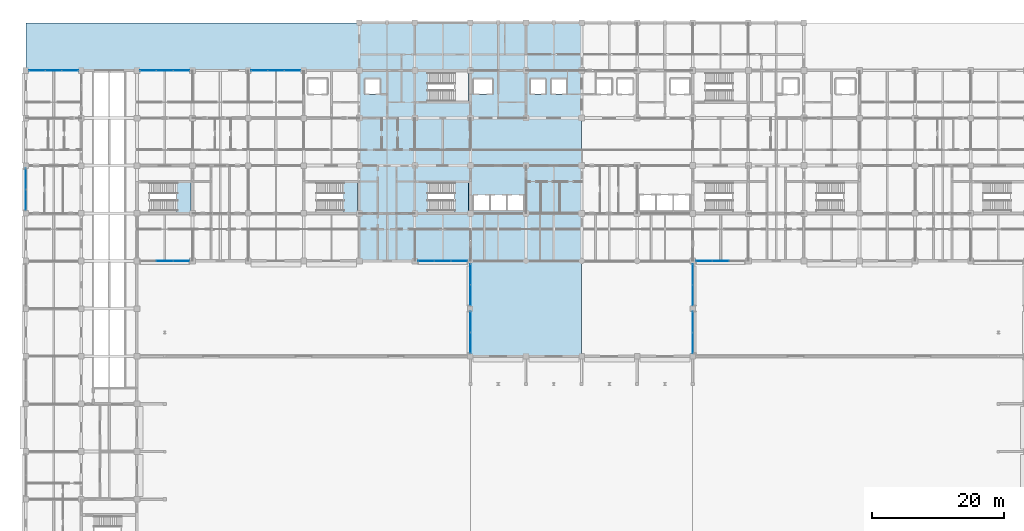
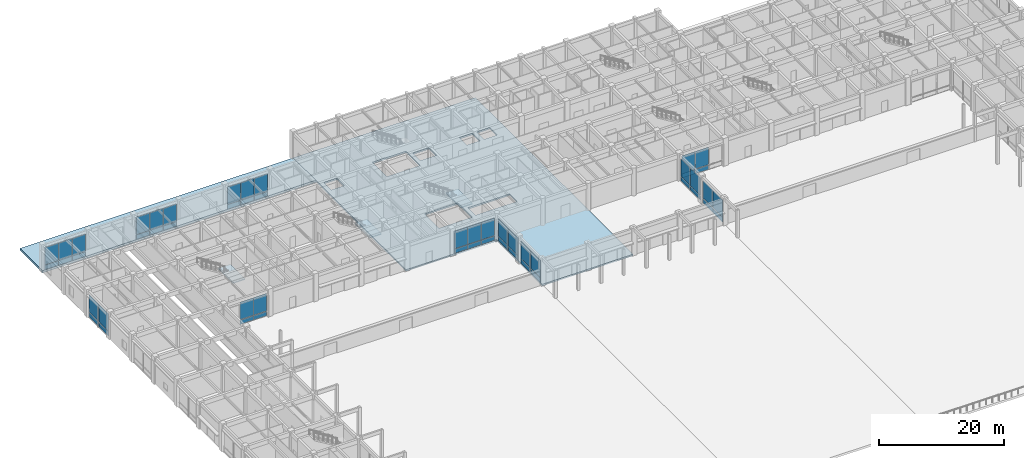
# One storey, part 34 of 73: 52 plates, 5 slabs, 14 elements without a shape of their own.
"""IFC4 building model written with IfcOpenShell, lengths in metres."""

from ifc_helpers import new_model, si_unit, direction, frame, origin, origin_2d, place, context, subcontext, project, spatial, polyline, rectangle, outline, extrude, material, layer, layer_set, type_object, element, aggregate, save


model = new_model("IFC4")

# Units and contexts
model_context = context("Model", 3, precision=1e-05, world=origin(), true_north=direction((0.0, 1.0)))
body_context = subcontext(model_context, "Body", "Model", "MODEL_VIEW")
ifc_project = project(units=[si_unit("LENGTHUNIT", "METRE"), si_unit("AREAUNIT", "SQUARE_METRE"), si_unit("VOLUMEUNIT", "CUBIC_METRE"), si_unit("PLANEANGLEUNIT", "RADIAN"), si_unit("MASSUNIT", "GRAM", prefix="KILO")], contexts=[model_context])

# Site, building, storey
site_placement = place(None, origin())
site = spatial("IfcSite", under=ifc_project, at=site_placement, CompositionType="ELEMENT")
building_placement = place(site_placement, origin())
building = spatial("IfcBuilding", under=site, at=building_placement, Name="Chengyuan Square Courthouse", CompositionType="ELEMENT")
storey_placement = place(building_placement, origin())
storey = spatial("IfcBuildingStorey", under=building, at=storey_placement, Name="L01", CompositionType="ELEMENT", Elevation=0.0)

# Curtain wall, plates
ifc_material_1 = material(Name="Unitised Aluminium and Triple Low-E Glass", Category="aluminium")
ifc_layer_1 = layer(ifc_material_1, 0.159912109375)
ifc_layer_set_1 = layer_set([ifc_layer_1], Name="Unitised Aluminium and Triple Low-E Glass")
curtain_wall_type_1 = type_object("IfcCurtainWallType", Name="CW-01", PredefinedType="USERDEFINED", material=ifc_layer_set_1)
curtain_wall_1_placement = place(storey_placement, origin())
curtain_wall_1 = element("IfcCurtainWall", 1, at=curtain_wall_1_placement, inside=storey, type_object=curtain_wall_type_1, Name="Unitised Curtain Wall CW-L01-009", ObjectType="UNITISED CURTAIN WALL", PredefinedType="USERDEFINED")
ifc_material_2 = material(Name="Triple Low-E Insulating Glass", Category="glass")
ifc_layer_2 = layer(ifc_material_2, 0.02392578125)
ifc_layer_set_2 = layer_set([ifc_layer_2], Name="Triple Low-E Insulating Glass")
plate_type_1 = type_object("IfcPlateType", Name="CWP-01", PredefinedType="CURTAIN_PANEL", material=ifc_layer_set_2)
plate_1_placement = place(storey_placement, frame((1.6982421875, 108.0, 0.06005859375), z_axis=(0.0, 0.0, 1.0), x_axis=(1.0, 0.0, 0.0)))
plate_1 = element("IfcPlate", 2, at=plate_1_placement, type_object=plate_type_1, Name="CW-01 panel 1.1", PredefinedType="CURTAIN_PANEL", context=body_context, shape_type="SweptSolid", body=[
    extrude(rectangle(XDim=2.4267578125, YDim=0.02392578125, at=origin_2d()), origin(), (0.0, 0.0, 1.0), 0.860107421875),
])
plate_2_placement = place(storey_placement, frame((1.6982421875, 108.0, 0.97998046875), z_axis=(0.0, 0.0, 1.0), x_axis=(1.0, 0.0, 0.0)))
plate_2 = element("IfcPlate", 3, at=plate_2_placement, type_object=plate_type_1, Name="CW-01 panel 1.2", PredefinedType="CURTAIN_PANEL", context=body_context, shape_type="SweptSolid", body=[
    extrude(rectangle(XDim=2.4267578125, YDim=0.02392578125, at=origin_2d()), origin(), (0.0, 0.0, 1.0), 3.429931640625),
])
plate_3_placement = place(storey_placement, frame((4.199951171875, 108.0, 0.06005859375), z_axis=(0.0, 0.0, 1.0), x_axis=(1.0, 0.0, 0.0)))
plate_3 = element("IfcPlate", 4, at=plate_3_placement, type_object=plate_type_1, Name="CW-01 panel 2.1", PredefinedType="CURTAIN_PANEL", context=body_context, shape_type="SweptSolid", body=[
    extrude(rectangle(XDim=2.456787109375, YDim=0.02392578125, at=origin_2d()), origin(), (0.0, 0.0, 1.0), 0.860107421875),
])
plate_4_placement = place(storey_placement, frame((4.199951171875, 108.0, 0.97998046875), z_axis=(0.0, 0.0, 1.0), x_axis=(1.0, 0.0, 0.0)))
plate_4 = element("IfcPlate", 5, at=plate_4_placement, type_object=plate_type_1, Name="CW-01 panel 2.2", PredefinedType="CURTAIN_PANEL", context=body_context, shape_type="SweptSolid", body=[
    extrude(rectangle(XDim=2.456787109375, YDim=0.02392578125, at=origin_2d()), origin(), (0.0, 0.0, 1.0), 3.429931640625),
])
plate_5_placement = place(storey_placement, frame((6.70166015625, 108.0, 0.06005859375), z_axis=(0.0, 0.0, 1.0), x_axis=(1.0, 0.0, 0.0)))
plate_5 = element("IfcPlate", 6, at=plate_5_placement, type_object=plate_type_1, Name="CW-01 panel 3.1", PredefinedType="CURTAIN_PANEL", context=body_context, shape_type="SweptSolid", body=[
    extrude(rectangle(XDim=2.4267578125, YDim=0.02392578125, at=origin_2d()), origin(), (0.0, 0.0, 1.0), 0.860107421875),
])
plate_6_placement = place(storey_placement, frame((6.70166015625, 108.0, 0.97998046875), z_axis=(0.0, 0.0, 1.0), x_axis=(1.0, 0.0, 0.0)))
plate_6 = element("IfcPlate", 7, at=plate_6_placement, type_object=plate_type_1, Name="CW-01 panel 3.2", PredefinedType="CURTAIN_PANEL", context=body_context, shape_type="SweptSolid", body=[
    extrude(rectangle(XDim=2.4267578125, YDim=0.02392578125, at=origin_2d()), origin(), (0.0, 0.0, 1.0), 3.429931640625),
])
aggregate(curtain_wall_1, [plate_1, plate_2, plate_3, plate_4, plate_5, plate_6])

curtain_wall_2_placement = place(storey_placement, origin())
curtain_wall_2 = element("IfcCurtainWall", 8, at=curtain_wall_2_placement, inside=storey, type_object=curtain_wall_type_1, Name="Unitised Curtain Wall CW-L01-014", ObjectType="UNITISED CURTAIN WALL", PredefinedType="USERDEFINED")
plate_7_placement = place(storey_placement, frame((21.0, 79.199951171875, 0.06005859375), z_axis=(0.0, 0.0, 1.0), x_axis=(1.0, 0.0, 0.0)))
plate_7 = element("IfcPlate", 9, at=plate_7_placement, type_object=plate_type_1, Name="CW-01 panel 2.1", PredefinedType="CURTAIN_PANEL", context=body_context, shape_type="SweptSolid", body=[
    extrude(rectangle(XDim=2.456787109375, YDim=0.02392578125, at=origin_2d()), origin(), (0.0, 0.0, 1.0), 0.860107421875),
])
plate_8_placement = place(storey_placement, frame((21.0, 79.199951171875, 0.97998046875), z_axis=(0.0, 0.0, 1.0), x_axis=(1.0, 0.0, 0.0)))
plate_8 = element("IfcPlate", 10, at=plate_8_placement, type_object=plate_type_1, Name="CW-01 panel 2.2", PredefinedType="CURTAIN_PANEL", context=body_context, shape_type="SweptSolid", body=[
    extrude(rectangle(XDim=2.456787109375, YDim=0.02392578125, at=origin_2d()), origin(), (0.0, 0.0, 1.0), 3.429931640625),
])
plate_9_placement = place(storey_placement, frame((23.501708984375, 79.199951171875, 0.06005859375), z_axis=(0.0, 0.0, 1.0), x_axis=(1.0, 0.0, 0.0)))
plate_9 = element("IfcPlate", 11, at=plate_9_placement, type_object=plate_type_1, Name="CW-01 panel 3.1", PredefinedType="CURTAIN_PANEL", context=body_context, shape_type="SweptSolid", body=[
    extrude(rectangle(XDim=2.4267578125, YDim=0.02392578125, at=origin_2d()), origin(), (0.0, 0.0, 1.0), 0.860107421875),
])
plate_10_placement = place(storey_placement, frame((23.501708984375, 79.199951171875, 0.97998046875), z_axis=(0.0, 0.0, 1.0), x_axis=(1.0, 0.0, 0.0)))
plate_10 = element("IfcPlate", 12, at=plate_10_placement, type_object=plate_type_1, Name="CW-01 panel 3.2", PredefinedType="CURTAIN_PANEL", context=body_context, shape_type="SweptSolid", body=[
    extrude(rectangle(XDim=2.4267578125, YDim=0.02392578125, at=origin_2d()), origin(), (0.0, 0.0, 1.0), 3.429931640625),
])
aggregate(curtain_wall_2, [plate_7, plate_8, plate_9, plate_10])

curtain_wall_3_placement = place(storey_placement, origin())
curtain_wall_3 = element("IfcCurtainWall", 13, at=curtain_wall_3_placement, inside=storey, type_object=curtain_wall_type_1, Name="Unitised Curtain Wall CW-L01-015", ObjectType="UNITISED CURTAIN WALL", PredefinedType="USERDEFINED")
plate_11_placement = place(storey_placement, frame((18.498291015625, 108.0, 0.06005859375), z_axis=(0.0, 0.0, 1.0), x_axis=(1.0, 0.0, 0.0)))
plate_11 = element("IfcPlate", 14, at=plate_11_placement, type_object=plate_type_1, Name="CW-01 panel 1.1", PredefinedType="CURTAIN_PANEL", context=body_context, shape_type="SweptSolid", body=[
    extrude(rectangle(XDim=2.4267578125, YDim=0.02392578125, at=origin_2d()), origin(), (0.0, 0.0, 1.0), 0.860107421875),
])
plate_12_placement = place(storey_placement, frame((18.498291015625, 108.0, 0.97998046875), z_axis=(0.0, 0.0, 1.0), x_axis=(1.0, 0.0, 0.0)))
plate_12 = element("IfcPlate", 15, at=plate_12_placement, type_object=plate_type_1, Name="CW-01 panel 1.2", PredefinedType="CURTAIN_PANEL", context=body_context, shape_type="SweptSolid", body=[
    extrude(rectangle(XDim=2.4267578125, YDim=0.02392578125, at=origin_2d()), origin(), (0.0, 0.0, 1.0), 3.429931640625),
])
plate_13_placement = place(storey_placement, frame((21.0, 108.0, 0.06005859375), z_axis=(0.0, 0.0, 1.0), x_axis=(1.0, 0.0, 0.0)))
plate_13 = element("IfcPlate", 16, at=plate_13_placement, type_object=plate_type_1, Name="CW-01 panel 2.1", PredefinedType="CURTAIN_PANEL", context=body_context, shape_type="SweptSolid", body=[
    extrude(rectangle(XDim=2.456787109375, YDim=0.02392578125, at=origin_2d()), origin(), (0.0, 0.0, 1.0), 0.860107421875),
])
plate_14_placement = place(storey_placement, frame((21.0, 108.0, 0.97998046875), z_axis=(0.0, 0.0, 1.0), x_axis=(1.0, 0.0, 0.0)))
plate_14 = element("IfcPlate", 17, at=plate_14_placement, type_object=plate_type_1, Name="CW-01 panel 2.2", PredefinedType="CURTAIN_PANEL", context=body_context, shape_type="SweptSolid", body=[
    extrude(rectangle(XDim=2.456787109375, YDim=0.02392578125, at=origin_2d()), origin(), (0.0, 0.0, 1.0), 3.429931640625),
])
plate_15_placement = place(storey_placement, frame((23.501708984375, 108.0, 0.06005859375), z_axis=(0.0, 0.0, 1.0), x_axis=(1.0, 0.0, 0.0)))
plate_15 = element("IfcPlate", 18, at=plate_15_placement, type_object=plate_type_1, Name="CW-01 panel 3.1", PredefinedType="CURTAIN_PANEL", context=body_context, shape_type="SweptSolid", body=[
    extrude(rectangle(XDim=2.4267578125, YDim=0.02392578125, at=origin_2d()), origin(), (0.0, 0.0, 1.0), 0.860107421875),
])
plate_16_placement = place(storey_placement, frame((23.501708984375, 108.0, 0.97998046875), z_axis=(0.0, 0.0, 1.0), x_axis=(1.0, 0.0, 0.0)))
plate_16 = element("IfcPlate", 19, at=plate_16_placement, type_object=plate_type_1, Name="CW-01 panel 3.2", PredefinedType="CURTAIN_PANEL", context=body_context, shape_type="SweptSolid", body=[
    extrude(rectangle(XDim=2.4267578125, YDim=0.02392578125, at=origin_2d()), origin(), (0.0, 0.0, 1.0), 3.429931640625),
])
aggregate(curtain_wall_3, [plate_11, plate_12, plate_13, plate_14, plate_15, plate_16])

curtain_wall_4_placement = place(storey_placement, origin())
curtain_wall_4 = element("IfcCurtainWall", 20, at=curtain_wall_4_placement, inside=storey, type_object=curtain_wall_type_1, Name="Unitised Curtain Wall CW-L01-017", ObjectType="UNITISED CURTAIN WALL", PredefinedType="USERDEFINED")
plate_17_placement = place(storey_placement, frame((35.29833984375, 108.0, 0.06005859375), z_axis=(0.0, 0.0, 1.0), x_axis=(1.0, 0.0, 0.0)))
plate_17 = element("IfcPlate", 21, at=plate_17_placement, type_object=plate_type_1, Name="CW-01 panel 1.1", PredefinedType="CURTAIN_PANEL", context=body_context, shape_type="SweptSolid", body=[
    extrude(rectangle(XDim=2.4267578125, YDim=0.02392578125, at=origin_2d()), origin(), (0.0, 0.0, 1.0), 0.860107421875),
])
plate_18_placement = place(storey_placement, frame((35.29833984375, 108.0, 0.97998046875), z_axis=(0.0, 0.0, 1.0), x_axis=(1.0, 0.0, 0.0)))
plate_18 = element("IfcPlate", 22, at=plate_18_placement, type_object=plate_type_1, Name="CW-01 panel 1.2", PredefinedType="CURTAIN_PANEL", context=body_context, shape_type="SweptSolid", body=[
    extrude(rectangle(XDim=2.4267578125, YDim=0.02392578125, at=origin_2d()), origin(), (0.0, 0.0, 1.0), 3.429931640625),
])
plate_19_placement = place(storey_placement, frame((37.800048828125, 108.0, 0.06005859375), z_axis=(0.0, 0.0, 1.0), x_axis=(1.0, 0.0, 0.0)))
plate_19 = element("IfcPlate", 23, at=plate_19_placement, type_object=plate_type_1, Name="CW-01 panel 2.1", PredefinedType="CURTAIN_PANEL", context=body_context, shape_type="SweptSolid", body=[
    extrude(rectangle(XDim=2.456787109375, YDim=0.02392578125, at=origin_2d()), origin(), (0.0, 0.0, 1.0), 0.860107421875),
])
plate_20_placement = place(storey_placement, frame((37.800048828125, 108.0, 0.97998046875), z_axis=(0.0, 0.0, 1.0), x_axis=(1.0, 0.0, 0.0)))
plate_20 = element("IfcPlate", 24, at=plate_20_placement, type_object=plate_type_1, Name="CW-01 panel 2.2", PredefinedType="CURTAIN_PANEL", context=body_context, shape_type="SweptSolid", body=[
    extrude(rectangle(XDim=2.456787109375, YDim=0.02392578125, at=origin_2d()), origin(), (0.0, 0.0, 1.0), 3.429931640625),
])
plate_21_placement = place(storey_placement, frame((40.3017578125, 108.0, 0.06005859375), z_axis=(0.0, 0.0, 1.0), x_axis=(1.0, 0.0, 0.0)))
plate_21 = element("IfcPlate", 25, at=plate_21_placement, type_object=plate_type_1, Name="CW-01 panel 3.1", PredefinedType="CURTAIN_PANEL", context=body_context, shape_type="SweptSolid", body=[
    extrude(rectangle(XDim=2.4267578125, YDim=0.02392578125, at=origin_2d()), origin(), (0.0, 0.0, 1.0), 0.860107421875),
])
plate_22_placement = place(storey_placement, frame((40.3017578125, 108.0, 0.97998046875), z_axis=(0.0, 0.0, 1.0), x_axis=(1.0, 0.0, 0.0)))
plate_22 = element("IfcPlate", 26, at=plate_22_placement, type_object=plate_type_1, Name="CW-01 panel 3.2", PredefinedType="CURTAIN_PANEL", context=body_context, shape_type="SweptSolid", body=[
    extrude(rectangle(XDim=2.4267578125, YDim=0.02392578125, at=origin_2d()), origin(), (0.0, 0.0, 1.0), 3.429931640625),
])
aggregate(curtain_wall_4, [plate_17, plate_18, plate_19, plate_20, plate_21, plate_22])

curtain_wall_5_placement = place(storey_placement, origin())
curtain_wall_5 = element("IfcCurtainWall", 27, at=curtain_wall_5_placement, inside=storey, type_object=curtain_wall_type_1, Name="Unitised Curtain Wall CW-L01-019", ObjectType="UNITISED CURTAIN WALL", PredefinedType="USERDEFINED")
plate_23_placement = place(storey_placement, frame((60.519287109375, 79.199951171875, 0.06005859375), z_axis=(0.0, 0.0, 1.0), x_axis=(1.0, 0.0, 0.0)))
plate_23 = element("IfcPlate", 28, at=plate_23_placement, type_object=plate_type_1, Name="CW-01 panel 1.1", PredefinedType="CURTAIN_PANEL", context=body_context, shape_type="SweptSolid", body=[
    extrude(rectangle(XDim=2.418212890625, YDim=0.02392578125, at=origin_2d()), origin(), (0.0, 0.0, 1.0), 0.860107421875),
])
plate_24_placement = place(storey_placement, frame((60.519287109375, 79.199951171875, 0.97998046875), z_axis=(0.0, 0.0, 1.0), x_axis=(1.0, 0.0, 0.0)))
plate_24 = element("IfcPlate", 29, at=plate_24_placement, type_object=plate_type_1, Name="CW-01 panel 1.2", PredefinedType="CURTAIN_PANEL", context=body_context, shape_type="SweptSolid", body=[
    extrude(rectangle(XDim=2.418212890625, YDim=0.02392578125, at=origin_2d()), origin(), (0.0, 0.0, 1.0), 3.429931640625),
])
plate_25_placement = place(storey_placement, frame((63.012451171875, 79.199951171875, 0.06005859375), z_axis=(0.0, 0.0, 1.0), x_axis=(1.0, 0.0, 0.0)))
plate_25 = element("IfcPlate", 30, at=plate_25_placement, type_object=plate_type_1, Name="CW-01 panel 2.1", PredefinedType="CURTAIN_PANEL", context=body_context, shape_type="SweptSolid", body=[
    extrude(rectangle(XDim=2.4482421875, YDim=0.02392578125, at=origin_2d()), origin(), (0.0, 0.0, 1.0), 0.860107421875),
])
plate_26_placement = place(storey_placement, frame((63.012451171875, 79.199951171875, 0.97998046875), z_axis=(0.0, 0.0, 1.0), x_axis=(1.0, 0.0, 0.0)))
plate_26 = element("IfcPlate", 31, at=plate_26_placement, type_object=plate_type_1, Name="CW-01 panel 2.2", PredefinedType="CURTAIN_PANEL", context=body_context, shape_type="SweptSolid", body=[
    extrude(rectangle(XDim=2.4482421875, YDim=0.02392578125, at=origin_2d()), origin(), (0.0, 0.0, 1.0), 3.429931640625),
])
plate_27_placement = place(storey_placement, frame((65.505859375, 79.199951171875, 0.06005859375), z_axis=(0.0, 0.0, 1.0), x_axis=(1.0, 0.0, 0.0)))
plate_27 = element("IfcPlate", 32, at=plate_27_placement, type_object=plate_type_1, Name="CW-01 panel 3.1", PredefinedType="CURTAIN_PANEL", context=body_context, shape_type="SweptSolid", body=[
    extrude(rectangle(XDim=2.418212890625, YDim=0.02392578125, at=origin_2d()), origin(), (0.0, 0.0, 1.0), 0.860107421875),
])
plate_28_placement = place(storey_placement, frame((65.505859375, 79.199951171875, 0.97998046875), z_axis=(0.0, 0.0, 1.0), x_axis=(1.0, 0.0, 0.0)))
plate_28 = element("IfcPlate", 33, at=plate_28_placement, type_object=plate_type_1, Name="CW-01 panel 3.2", PredefinedType="CURTAIN_PANEL", context=body_context, shape_type="SweptSolid", body=[
    extrude(rectangle(XDim=2.418212890625, YDim=0.02392578125, at=origin_2d()), origin(), (0.0, 0.0, 1.0), 3.429931640625),
])
aggregate(curtain_wall_5, [plate_23, plate_24, plate_25, plate_26, plate_27, plate_28])

curtain_wall_6_placement = place(storey_placement, origin())
curtain_wall_6 = element("IfcCurtainWall", 34, at=curtain_wall_6_placement, inside=storey, type_object=curtain_wall_type_1, Name="Unitised Curtain Wall CW-L01-024", ObjectType="UNITISED CURTAIN WALL", PredefinedType="USERDEFINED")
plate_29_placement = place(storey_placement, frame((102.514892578125, 79.199951171875, 0.06005859375), z_axis=(0.0, 0.0, 1.0), x_axis=(1.0, 0.0, 0.0)))
plate_29 = element("IfcPlate", 35, at=plate_29_placement, type_object=plate_type_1, Name="CW-01 panel 1.1", PredefinedType="CURTAIN_PANEL", context=body_context, shape_type="SweptSolid", body=[
    extrude(rectangle(XDim=2.409912109375, YDim=0.02392578125, at=origin_2d()), origin(), (0.0, 0.0, 1.0), 0.860107421875),
])
plate_30_placement = place(storey_placement, frame((102.514892578125, 79.199951171875, 0.97998046875), z_axis=(0.0, 0.0, 1.0), x_axis=(1.0, 0.0, 0.0)))
plate_30 = element("IfcPlate", 36, at=plate_30_placement, type_object=plate_type_1, Name="CW-01 panel 1.2", PredefinedType="CURTAIN_PANEL", context=body_context, shape_type="SweptSolid", body=[
    extrude(rectangle(XDim=2.409912109375, YDim=0.02392578125, at=origin_2d()), origin(), (0.0, 0.0, 1.0), 3.429931640625),
])
plate_31_placement = place(storey_placement, frame((105.0, 79.199951171875, 0.06005859375), z_axis=(0.0, 0.0, 1.0), x_axis=(1.0, 0.0, 0.0)))
plate_31 = element("IfcPlate", 37, at=plate_31_placement, type_object=plate_type_1, Name="CW-01 panel 2.1", PredefinedType="CURTAIN_PANEL", context=body_context, shape_type="SweptSolid", body=[
    extrude(rectangle(XDim=2.43994140625, YDim=0.02392578125, at=origin_2d()), origin(), (0.0, 0.0, 1.0), 0.860107421875),
])
plate_32_placement = place(storey_placement, frame((105.0, 79.199951171875, 0.97998046875), z_axis=(0.0, 0.0, 1.0), x_axis=(1.0, 0.0, 0.0)))
plate_32 = element("IfcPlate", 38, at=plate_32_placement, type_object=plate_type_1, Name="CW-01 panel 2.2", PredefinedType="CURTAIN_PANEL", context=body_context, shape_type="SweptSolid", body=[
    extrude(rectangle(XDim=2.43994140625, YDim=0.02392578125, at=origin_2d()), origin(), (0.0, 0.0, 1.0), 3.429931640625),
])
aggregate(curtain_wall_6, [plate_29, plate_30, plate_31, plate_32])

ifc_layer_3 = layer(ifc_material_1, 0.179931640625)
ifc_layer_set_3 = layer_set([ifc_layer_3], Name="Unitised Aluminium and Triple Low-E Glass")
curtain_wall_type_2 = type_object("IfcCurtainWallType", Name="CW-14", PredefinedType="USERDEFINED", material=ifc_layer_set_3)
curtain_wall_7_placement = place(storey_placement, origin())
curtain_wall_7 = element("IfcCurtainWall", 39, at=curtain_wall_7_placement, inside=storey, type_object=curtain_wall_type_2, Name="Unitised Curtain Wall CW-L01-008", ObjectType="UNITISED CURTAIN WALL", PredefinedType="USERDEFINED")
ifc_layer_4 = layer(ifc_material_2, 0.031982421875)
ifc_layer_set_4 = layer_set([ifc_layer_4], Name="Triple Low-E Insulating Glass")
plate_type_2 = type_object("IfcPlateType", Name="CWP-02", PredefinedType="CURTAIN_PANEL", material=ifc_layer_set_4)
plate_33_placement = place(storey_placement, frame((0.0, 88.4287109375, 0.06494140625), z_axis=(0.0, 0.0, 1.0), x_axis=(0.0, 1.0, 0.0)))
plate_33 = element("IfcPlate", 40, at=plate_33_placement, type_object=plate_type_2, Name="CW-14 panel 1.1", PredefinedType="CURTAIN_PANEL", context=body_context, shape_type="SweptSolid", body=[
    extrude(rectangle(XDim=3.077392578125, YDim=0.031982421875, at=origin_2d()), origin(), (0.0, 0.0, 1.0), 0.8525390625),
])
plate_34_placement = place(storey_placement, frame((0.0, 88.4287109375, 0.982421875), z_axis=(0.0, 0.0, 1.0), x_axis=(0.0, 1.0, 0.0)))
plate_34 = element("IfcPlate", 41, at=plate_34_placement, type_object=plate_type_2, Name="CW-14 panel 1.2", PredefinedType="CURTAIN_PANEL", context=body_context, shape_type="SweptSolid", body=[
    extrude(rectangle(XDim=3.077392578125, YDim=0.031982421875, at=origin_2d()), origin(), (0.0, 0.0, 1.0), 3.422607421875),
])
plate_35_placement = place(storey_placement, frame((0.0, 91.5712890625, 0.06494140625), z_axis=(0.0, 0.0, 1.0), x_axis=(0.0, 1.0, 0.0)))
plate_35 = element("IfcPlate", 42, at=plate_35_placement, type_object=plate_type_2, Name="CW-14 panel 2.1", PredefinedType="CURTAIN_PANEL", context=body_context, shape_type="SweptSolid", body=[
    extrude(rectangle(XDim=3.077392578125, YDim=0.031982421875, at=origin_2d()), origin(), (0.0, 0.0, 1.0), 0.8525390625),
])
plate_36_placement = place(storey_placement, frame((0.0, 91.5712890625, 0.982421875), z_axis=(0.0, 0.0, 1.0), x_axis=(0.0, 1.0, 0.0)))
plate_36 = element("IfcPlate", 43, at=plate_36_placement, type_object=plate_type_2, Name="CW-14 panel 2.2", PredefinedType="CURTAIN_PANEL", context=body_context, shape_type="SweptSolid", body=[
    extrude(rectangle(XDim=3.077392578125, YDim=0.031982421875, at=origin_2d()), origin(), (0.0, 0.0, 1.0), 3.422607421875),
])
aggregate(curtain_wall_7, [plate_33, plate_34, plate_35, plate_36])

curtain_wall_8_placement = place(storey_placement, origin())
curtain_wall_8 = element("IfcCurtainWall", 44, at=curtain_wall_8_placement, inside=storey, type_object=curtain_wall_type_2, Name="Unitised Curtain Wall CW-L01-020", ObjectType="UNITISED CURTAIN WALL", PredefinedType="USERDEFINED")
plate_37_placement = place(storey_placement, frame((67.199951171875, 66.828857421875, 0.06494140625), z_axis=(0.0, 0.0, 1.0), x_axis=(0.0, 1.0, 0.0)))
plate_37 = element("IfcPlate", 45, at=plate_37_placement, type_object=plate_type_2, Name="CW-14 panel 1.1", PredefinedType="CURTAIN_PANEL", context=body_context, shape_type="SweptSolid", body=[
    extrude(rectangle(XDim=3.077392578125, YDim=0.031982421875, at=origin_2d()), origin(), (0.0, 0.0, 1.0), 0.8525390625),
])
plate_38_placement = place(storey_placement, frame((67.199951171875, 66.828857421875, 0.982421875), z_axis=(0.0, 0.0, 1.0), x_axis=(0.0, 1.0, 0.0)))
plate_38 = element("IfcPlate", 46, at=plate_38_placement, type_object=plate_type_2, Name="CW-14 panel 1.2", PredefinedType="CURTAIN_PANEL", context=body_context, shape_type="SweptSolid", body=[
    extrude(rectangle(XDim=3.077392578125, YDim=0.031982421875, at=origin_2d()), origin(), (0.0, 0.0, 1.0), 3.422607421875),
])
plate_39_placement = place(storey_placement, frame((67.199951171875, 69.97119140625, 0.06494140625), z_axis=(0.0, 0.0, 1.0), x_axis=(0.0, 1.0, 0.0)))
plate_39 = element("IfcPlate", 47, at=plate_39_placement, type_object=plate_type_2, Name="CW-14 panel 2.1", PredefinedType="CURTAIN_PANEL", context=body_context, shape_type="SweptSolid", body=[
    extrude(rectangle(XDim=3.077392578125, YDim=0.031982421875, at=origin_2d()), origin(), (0.0, 0.0, 1.0), 0.8525390625),
])
plate_40_placement = place(storey_placement, frame((67.199951171875, 69.97119140625, 0.982421875), z_axis=(0.0, 0.0, 1.0), x_axis=(0.0, 1.0, 0.0)))
plate_40 = element("IfcPlate", 48, at=plate_40_placement, type_object=plate_type_2, Name="CW-14 panel 2.2", PredefinedType="CURTAIN_PANEL", context=body_context, shape_type="SweptSolid", body=[
    extrude(rectangle(XDim=3.077392578125, YDim=0.031982421875, at=origin_2d()), origin(), (0.0, 0.0, 1.0), 3.422607421875),
])
aggregate(curtain_wall_8, [plate_37, plate_38, plate_39, plate_40])

curtain_wall_9_placement = place(storey_placement, origin())
curtain_wall_9 = element("IfcCurtainWall", 49, at=curtain_wall_9_placement, inside=storey, type_object=curtain_wall_type_2, Name="Unitised Curtain Wall CW-L01-021", ObjectType="UNITISED CURTAIN WALL", PredefinedType="USERDEFINED")
plate_41_placement = place(storey_placement, frame((67.199951171875, 74.02880859375, 0.06494140625), z_axis=(0.0, 0.0, 1.0), x_axis=(0.0, 1.0, 0.0)))
plate_41 = element("IfcPlate", 50, at=plate_41_placement, type_object=plate_type_2, Name="CW-14 panel 1.1", PredefinedType="CURTAIN_PANEL", context=body_context, shape_type="SweptSolid", body=[
    extrude(rectangle(XDim=3.077392578125, YDim=0.031982421875, at=origin_2d()), origin(), (0.0, 0.0, 1.0), 0.8525390625),
])
plate_42_placement = place(storey_placement, frame((67.199951171875, 74.02880859375, 0.982421875), z_axis=(0.0, 0.0, 1.0), x_axis=(0.0, 1.0, 0.0)))
plate_42 = element("IfcPlate", 51, at=plate_42_placement, type_object=plate_type_2, Name="CW-14 panel 1.2", PredefinedType="CURTAIN_PANEL", context=body_context, shape_type="SweptSolid", body=[
    extrude(rectangle(XDim=3.077392578125, YDim=0.031982421875, at=origin_2d()), origin(), (0.0, 0.0, 1.0), 3.422607421875),
])
plate_43_placement = place(storey_placement, frame((67.199951171875, 77.171142578125, 0.06494140625), z_axis=(0.0, 0.0, 1.0), x_axis=(0.0, 1.0, 0.0)))
plate_43 = element("IfcPlate", 52, at=plate_43_placement, type_object=plate_type_2, Name="CW-14 panel 2.1", PredefinedType="CURTAIN_PANEL", context=body_context, shape_type="SweptSolid", body=[
    extrude(rectangle(XDim=3.077392578125, YDim=0.031982421875, at=origin_2d()), origin(), (0.0, 0.0, 1.0), 0.8525390625),
])
plate_44_placement = place(storey_placement, frame((67.199951171875, 77.171142578125, 0.982421875), z_axis=(0.0, 0.0, 1.0), x_axis=(0.0, 1.0, 0.0)))
plate_44 = element("IfcPlate", 53, at=plate_44_placement, type_object=plate_type_2, Name="CW-14 panel 2.2", PredefinedType="CURTAIN_PANEL", context=body_context, shape_type="SweptSolid", body=[
    extrude(rectangle(XDim=3.077392578125, YDim=0.031982421875, at=origin_2d()), origin(), (0.0, 0.0, 1.0), 3.422607421875),
])
aggregate(curtain_wall_9, [plate_41, plate_42, plate_43, plate_44])

curtain_wall_10_placement = place(storey_placement, origin())
curtain_wall_10 = element("IfcCurtainWall", 54, at=curtain_wall_10_placement, inside=storey, type_object=curtain_wall_type_2, Name="Unitised Curtain Wall CW-L01-022", ObjectType="UNITISED CURTAIN WALL", PredefinedType="USERDEFINED")
plate_45_placement = place(storey_placement, frame((100.800048828125, 66.828857421875, 0.06494140625), z_axis=(0.0, 0.0, 1.0), x_axis=(0.0, 1.0, 0.0)))
plate_45 = element("IfcPlate", 55, at=plate_45_placement, type_object=plate_type_2, Name="CW-14 panel 1.1", PredefinedType="CURTAIN_PANEL", context=body_context, shape_type="SweptSolid", body=[
    extrude(rectangle(XDim=3.077392578125, YDim=0.031982421875, at=origin_2d()), origin(), (0.0, 0.0, 1.0), 0.8525390625),
])
plate_46_placement = place(storey_placement, frame((100.800048828125, 66.828857421875, 0.982421875), z_axis=(0.0, 0.0, 1.0), x_axis=(0.0, 1.0, 0.0)))
plate_46 = element("IfcPlate", 56, at=plate_46_placement, type_object=plate_type_2, Name="CW-14 panel 1.2", PredefinedType="CURTAIN_PANEL", context=body_context, shape_type="SweptSolid", body=[
    extrude(rectangle(XDim=3.077392578125, YDim=0.031982421875, at=origin_2d()), origin(), (0.0, 0.0, 1.0), 3.422607421875),
])
plate_47_placement = place(storey_placement, frame((100.800048828125, 69.97119140625, 0.06494140625), z_axis=(0.0, 0.0, 1.0), x_axis=(0.0, 1.0, 0.0)))
plate_47 = element("IfcPlate", 57, at=plate_47_placement, type_object=plate_type_2, Name="CW-14 panel 2.1", PredefinedType="CURTAIN_PANEL", context=body_context, shape_type="SweptSolid", body=[
    extrude(rectangle(XDim=3.077392578125, YDim=0.031982421875, at=origin_2d()), origin(), (0.0, 0.0, 1.0), 0.8525390625),
])
plate_48_placement = place(storey_placement, frame((100.800048828125, 69.97119140625, 0.982421875), z_axis=(0.0, 0.0, 1.0), x_axis=(0.0, 1.0, 0.0)))
plate_48 = element("IfcPlate", 58, at=plate_48_placement, type_object=plate_type_2, Name="CW-14 panel 2.2", PredefinedType="CURTAIN_PANEL", context=body_context, shape_type="SweptSolid", body=[
    extrude(rectangle(XDim=3.077392578125, YDim=0.031982421875, at=origin_2d()), origin(), (0.0, 0.0, 1.0), 3.422607421875),
])
aggregate(curtain_wall_10, [plate_45, plate_46, plate_47, plate_48])

curtain_wall_11_placement = place(storey_placement, origin())
curtain_wall_11 = element("IfcCurtainWall", 59, at=curtain_wall_11_placement, inside=storey, type_object=curtain_wall_type_2, Name="Unitised Curtain Wall CW-L01-023", ObjectType="UNITISED CURTAIN WALL", PredefinedType="USERDEFINED")
plate_49_placement = place(storey_placement, frame((100.800048828125, 74.0224609375, 0.06494140625), z_axis=(0.0, 0.0, 1.0), x_axis=(0.0, 1.0, 0.0)))
plate_49 = element("IfcPlate", 60, at=plate_49_placement, type_object=plate_type_2, Name="CW-14 panel 1.1", PredefinedType="CURTAIN_PANEL", context=body_context, shape_type="SweptSolid", body=[
    extrude(rectangle(XDim=3.06494140625, YDim=0.031982421875, at=origin_2d()), origin(), (0.0, 0.0, 1.0), 0.8525390625),
])
plate_50_placement = place(storey_placement, frame((100.800048828125, 74.0224609375, 0.982421875), z_axis=(0.0, 0.0, 1.0), x_axis=(0.0, 1.0, 0.0)))
plate_50 = element("IfcPlate", 61, at=plate_50_placement, type_object=plate_type_2, Name="CW-14 panel 1.2", PredefinedType="CURTAIN_PANEL", context=body_context, shape_type="SweptSolid", body=[
    extrude(rectangle(XDim=3.06494140625, YDim=0.031982421875, at=origin_2d()), origin(), (0.0, 0.0, 1.0), 3.422607421875),
])
plate_51_placement = place(storey_placement, frame((100.800048828125, 77.152587890625, 0.06494140625), z_axis=(0.0, 0.0, 1.0), x_axis=(0.0, 1.0, 0.0)))
plate_51 = element("IfcPlate", 62, at=plate_51_placement, type_object=plate_type_2, Name="CW-14 panel 2.1", PredefinedType="CURTAIN_PANEL", context=body_context, shape_type="SweptSolid", body=[
    extrude(rectangle(XDim=3.06494140625, YDim=0.031982421875, at=origin_2d()), origin(), (0.0, 0.0, 1.0), 0.8525390625),
])
plate_52_placement = place(storey_placement, frame((100.800048828125, 77.152587890625, 0.982421875), z_axis=(0.0, 0.0, 1.0), x_axis=(0.0, 1.0, 0.0)))
plate_52 = element("IfcPlate", 63, at=plate_52_placement, type_object=plate_type_2, Name="CW-14 panel 2.2", PredefinedType="CURTAIN_PANEL", context=body_context, shape_type="SweptSolid", body=[
    extrude(rectangle(XDim=3.06494140625, YDim=0.031982421875, at=origin_2d()), origin(), (0.0, 0.0, 1.0), 3.422607421875),
])
aggregate(curtain_wall_11, [plate_49, plate_50, plate_51, plate_52])

# Slabs
ifc_material_3 = material(Name="Concrete C40", Category="concrete")
ifc_layer_5 = layer(ifc_material_3, 0.419921875)
ifc_layer_set_5 = layer_set([ifc_layer_5], Name="Concrete C40")
slab_type_1 = type_object("IfcSlabType", Name="SL-APR", PredefinedType="ROOF", material=ifc_layer_set_5)
slab_1_placement = place(storey_placement, frame((0.0, 0.0, -0.419921875)))
element("IfcSlab", 64, at=slab_1_placement, inside=storey, type_object=slab_type_1, Name="Civic Forecourt and Service Apron Deck SL-FC-11", PredefinedType="ROOF", context=body_context, shape_type="SweptSolid", body=[
    extrude(outline(polyline([(8.39990234375, 108.0), (0.0, 108.0), (0.0, 115.199951171875), (8.39990234375, 115.199951171875), (16.800048828125, 115.199951171875), (25.199951171875, 115.199951171875), (33.60009765625, 115.199951171875), (42.0, 115.199951171875), (50.39990234375, 115.199951171875), (50.39990234375, 108.0), (42.0, 108.0), (33.60009765625, 108.0), (25.199951171875, 108.0), (16.800048828125, 108.0), (8.39990234375, 108.0)])), origin(), (0.0, 0.0, 1.0), 0.419921875),
])
ifc_layer_6 = layer(ifc_material_3, 0.300048828125)
ifc_layer_set_6 = layer_set([ifc_layer_6], Name="Concrete C40")
slab_type_2 = type_object("IfcSlabType", Name="SL-L01", PredefinedType="FLOOR", material=ifc_layer_set_6)
slab_2_placement = place(storey_placement, frame((0.0, 0.0, -0.300048828125)))
element("IfcSlab", 65, at=slab_2_placement, inside=storey, type_object=slab_type_2, Name="Suspended Floor Slab SL-L01-02", PredefinedType="FLOOR", context=body_context, shape_type="SweptSolid", body=[
    extrude(outline(polyline([(50.39990234375, 115.199951171875), (58.800048828125, 115.199951171875), (67.199951171875, 115.199951171875), (75.60009765625, 115.199951171875), (84.0, 115.199951171875), (84.0, 64.800048828125), (75.60009765625, 64.800048828125), (67.199951171875, 64.800048828125), (67.199951171875, 72.0), (67.199951171875, 79.199951171875), (58.800048828125, 79.199951171875), (50.39990234375, 79.199951171875), (50.39990234375, 108.0), (50.39990234375, 115.199951171875)]), holes=[polyline([(70.14990234375, 89.199951171875), (67.60009765625, 89.199951171875), (67.60009765625, 86.800048828125), (70.14990234375, 86.800048828125), (72.75, 86.800048828125), (75.300048828125, 86.800048828125), (75.300048828125, 89.199951171875), (72.75, 89.199951171875), (70.14990234375, 89.199951171875)]), polyline([(66.89990234375, 91.199951171875), (60.75, 91.199951171875), (60.75, 86.60009765625), (66.89990234375, 86.60009765625), (66.89990234375, 91.199951171875)]), polyline([(66.89990234375, 107.800048828125), (60.75, 107.800048828125), (60.75, 103.199951171875), (66.89990234375, 103.199951171875), (66.89990234375, 107.800048828125)]), polyline([(53.60009765625, 106.800048828125), (51.199951171875, 106.800048828125), (51.199951171875, 104.39990234375), (53.60009765625, 104.39990234375), (53.60009765625, 106.800048828125)]), polyline([(70.60009765625, 106.800048828125), (67.60009765625, 106.800048828125), (67.60009765625, 104.39990234375), (70.60009765625, 104.39990234375), (70.60009765625, 106.800048828125)]), polyline([(78.60009765625, 106.800048828125), (76.199951171875, 106.800048828125), (76.199951171875, 104.39990234375), (78.60009765625, 104.39990234375), (78.60009765625, 106.800048828125)]), polyline([(79.39990234375, 106.800048828125), (79.39990234375, 104.39990234375), (81.800048828125, 104.39990234375), (81.800048828125, 106.800048828125), (79.39990234375, 106.800048828125)])]), origin(), (0.0, 0.0, 1.0), 0.300048828125),
])

# Stair, slab
stair_type_1 = type_object("IfcStairType", Name="ST-TYPE-03", PredefinedType="HALF_TURN_STAIR", material=ifc_material_3)
stair_1_placement = place(storey_placement, origin())
stair_1 = element("IfcStair", 66, at=stair_1_placement, inside=storey, type_object=stair_type_1, Name="Smoke-Proof Exit Stair ST-3 (L01 to L02)", PredefinedType="HALF_TURN_STAIR")
ifc_layer_7 = layer(ifc_material_3, 0.18994140625)
ifc_layer_set_7 = layer_set([ifc_layer_7], Name="Concrete C40")
slab_type_3 = type_object("IfcSlabType", Name="SL-LND1", PredefinedType="LANDING", material=ifc_layer_set_7)
slab_3_placement = place(storey_placement, frame((0.0, 0.0, 2.510009765625)))
slab_3 = element("IfcSlab", 67, at=slab_3_placement, type_object=slab_type_3, Name="ST-3 landing 1", PredefinedType="LANDING", context=body_context, shape_type="SweptSolid", body=[
    extrude(outline(polyline([(64.72998046875, 86.56005859375), (66.93994140625, 86.56005859375), (66.93994140625, 91.239990234375), (64.72998046875, 91.239990234375), (64.72998046875, 86.56005859375)])), origin(), (0.0, 0.0, 1.0), 0.18994140625),
])
aggregate(stair_1, [slab_3])

stair_type_2 = type_object("IfcStairType", Name="ST-TYPE-05", PredefinedType="HALF_TURN_STAIR", material=ifc_material_3)
stair_2_placement = place(storey_placement, origin())
stair_2 = element("IfcStair", 68, at=stair_2_placement, inside=storey, type_object=stair_type_2, Name="Smoke-Proof Exit Stair ST-5 (L01 to L02)", PredefinedType="HALF_TURN_STAIR")
slab_4_placement = place(storey_placement, frame((0.0, 0.0, 2.510009765625)))
slab_4 = element("IfcSlab", 69, at=slab_4_placement, type_object=slab_type_3, Name="ST-5 landing 1", PredefinedType="LANDING", context=body_context, shape_type="SweptSolid", body=[
    extrude(outline(polyline([(47.929931640625, 86.56005859375), (50.139892578125, 86.56005859375), (50.139892578125, 91.239990234375), (47.929931640625, 91.239990234375), (47.929931640625, 86.56005859375)])), origin(), (0.0, 0.0, 1.0), 0.18994140625),
])
aggregate(stair_2, [slab_4])

stair_type_3 = type_object("IfcStairType", Name="ST-TYPE-09", PredefinedType="HALF_TURN_STAIR", material=ifc_material_3)
stair_3_placement = place(storey_placement, origin())
stair_3 = element("IfcStair", 70, at=stair_3_placement, inside=storey, type_object=stair_type_3, Name="Smoke-Proof Exit Stair ST-9 (L01 to L02)", PredefinedType="HALF_TURN_STAIR")
slab_5_placement = place(storey_placement, frame((0.0, 0.0, 2.510009765625)))
slab_5 = element("IfcSlab", 71, at=slab_5_placement, type_object=slab_type_3, Name="ST-9 landing 1", PredefinedType="LANDING", context=body_context, shape_type="SweptSolid", body=[
    extrude(outline(polyline([(22.72998046875, 86.56005859375), (24.93994140625, 86.56005859375), (24.93994140625, 91.239990234375), (22.72998046875, 91.239990234375), (22.72998046875, 86.56005859375)])), origin(), (0.0, 0.0, 1.0), 0.18994140625),
])
aggregate(stair_3, [slab_5])

save(model, "model.ifc")
